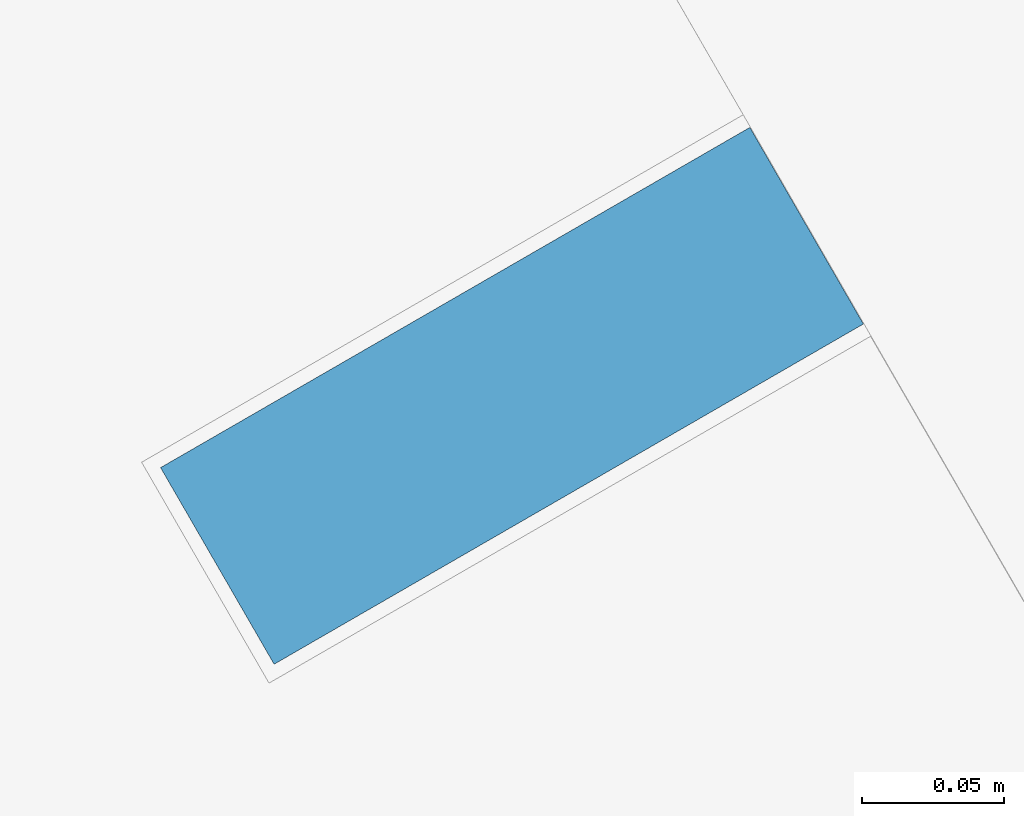
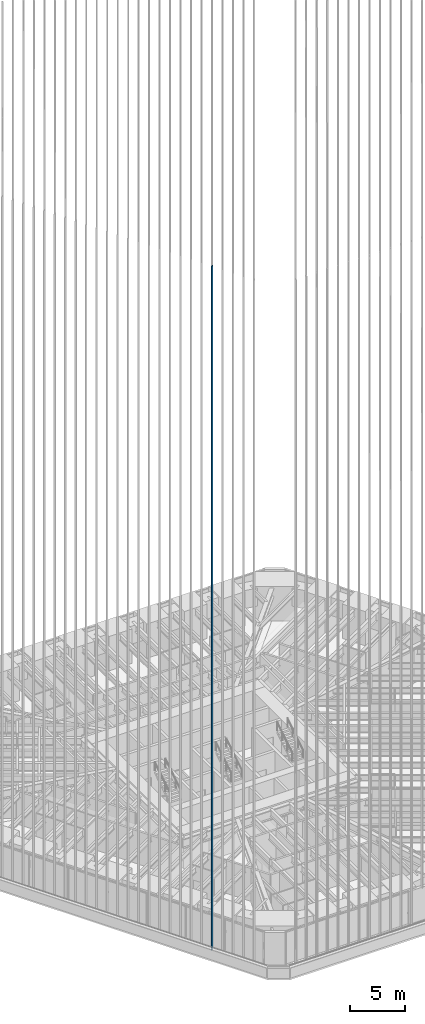
# One storey, part 15 of 238: 1 member, 1 element without a shape of its own.
"""IFC4 building model written with IfcOpenShell, lengths in metres."""

import ifcopenshell
import ifcopenshell.guid

model = None  # the IFC model being written
_history = None  # IfcOwnerHistory: only IFC2X3 demands one
_inside = {}  # id of a spatial element -> (the spatial element, [elements in it])
_under = {}  # id of a project, library or spatial element -> (it, [spatial elements below it])
_declared = {}  # id of a project -> (the project, [libraries it declares])
_typed = {}  # id of a type object -> (the type object, [elements of that type])
_made_of = {}  # id of a material, layer set ... -> (it, [elements and type objects made of it])


def new_model(schema):
    """Start an empty IFC model of exactly this schema.

    Asked for "IFC4X3", IfcOpenShell would pick the latest addendum, in which some entities
    have other attributes; the version numbers below select the first issue.
    IFC2X3 requires an IfcOwnerHistory on every rooted entity: one is made here for all.
    """
    global model, _history
    if schema == "IFC4X3":
        model = ifcopenshell.file(schema_version=(4, 3, 0, 0))
    else:
        model = ifcopenshell.file(schema=schema)
    _inside.clear()
    _under.clear()
    _declared.clear()
    _typed.clear()
    _made_of.clear()
    _history = None
    if model.schema == "IFC2X3":
        org = make("IfcOrganization", Name="unknown")
        user = make(
            "IfcPersonAndOrganization",
            ThePerson=make("IfcPerson", FamilyName="unknown"),
            TheOrganization=org,
        )
        app = make(
            "IfcApplication",
            ApplicationDeveloper=org,
            Version="unknown",
            ApplicationFullName="unknown",
            ApplicationIdentifier="unknown",
        )
        _history = make(
            "IfcOwnerHistory",
            OwningUser=user,
            OwningApplication=app,
            ChangeAction="ADDED",
            CreationDate=0,
        )
    return model


def make(cls, **values):
    """One entity of the class cls with the attributes given. An attribute that is None is left unset."""
    return model.create_entity(
        cls, **{name: value for name, value in values.items() if value is not None}
    )


def rooted(cls, **values):
    """An entity with a GlobalId (a new one), such as an element, a storey or a relation."""
    return make(cls, GlobalId=ifcopenshell.guid.new(), OwnerHistory=_history, **values)


def si_unit(unit_type, name, prefix=None):
    """IfcSIUnit, for example si_unit("LENGTHUNIT", "METRE", prefix="MILLI")."""
    return make("IfcSIUnit", UnitType=unit_type, Prefix=prefix, Name=name)


def assignment(units):
    """IfcUnitAssignment: the units of a project."""
    return None if units is None else make("IfcUnitAssignment", Units=units)


def point(xyz):
    """IfcCartesianPoint."""
    return None if xyz is None else make("IfcCartesianPoint", Coordinates=xyz)


def direction(xyz):
    """IfcDirection."""
    return None if xyz is None else make("IfcDirection", DirectionRatios=xyz)


def frame(location, z_axis=None, x_axis=None):
    """IfcAxis2Placement3D, a coordinate frame: its origin and axes. An axis left out is left unset."""
    return make(
        "IfcAxis2Placement3D",
        Location=point(location),
        Axis=direction(z_axis),
        RefDirection=direction(x_axis),
    )


def frame_2d(location, x_axis=None):
    """IfcAxis2Placement2D, a coordinate frame in the plane: its origin and x axis."""
    return make(
        "IfcAxis2Placement2D", Location=point(location), RefDirection=direction(x_axis)
    )


def origin():
    """The frame at (0, 0, 0) with its axes left unset."""
    return frame((0.0, 0.0, 0.0))


def origin_2d():
    """The frame at (0, 0) in the plane with its x axis left unset."""
    return frame_2d((0.0, 0.0))


def place(relative_to, where):
    """IfcLocalPlacement: puts the frame where relative to a parent placement (None: the world)."""
    return make(
        "IfcLocalPlacement", PlacementRelTo=relative_to, RelativePlacement=where
    )


def context(
    kind, dimensions, precision=None, world=None, true_north=None, identifier=None
):
    """IfcGeometricRepresentationContext, for example the 3D "Model" context."""
    return make(
        "IfcGeometricRepresentationContext",
        ContextIdentifier=identifier,
        ContextType=kind,
        CoordinateSpaceDimension=dimensions,
        Precision=precision,
        WorldCoordinateSystem=world,
        TrueNorth=true_north,
    )


def subcontext(parent, identifier, kind, view, scale=None):
    """IfcGeometricRepresentationSubContext, for example "Body" below "Model"."""
    return make(
        "IfcGeometricRepresentationSubContext",
        ContextIdentifier=identifier,
        ContextType=kind,
        ParentContext=parent,
        TargetScale=scale,
        TargetView=view,
    )


def project(units=None, contexts=None):
    """IfcProject with its units and contexts."""
    return rooted(
        "IfcProject",
        Name="project",
        RepresentationContexts=contexts,
        UnitsInContext=assignment(units),
    )


def spatial(cls, under=None, at=None, **own):
    """A site, building, storey or space (cls), placed at a placement, below another one or the project."""
    s = rooted(cls, ObjectPlacement=at, **own)
    if under is not None:
        _under.setdefault(under.id(), (under, []))[1].append(s)
    return s


def profile(cls, at=None, kind="AREA", **sizes):
    """A parametric profile (cls). Its sizes go by their IFC names, for example OverallWidth=200.0."""
    return make(cls, ProfileType=kind, Position=at, **sizes)


def rectangle(**sizes):
    """IfcRectangleProfileDef."""
    return profile("IfcRectangleProfileDef", **sizes)


def extrude(swept, where, along, depth):
    """IfcExtrudedAreaSolid: the profile swept, set in the frame where, extruded along a direction by depth."""
    return make(
        "IfcExtrudedAreaSolid",
        SweptArea=swept,
        Position=where,
        ExtrudedDirection=direction(along),
        Depth=depth,
    )


def shape(context_of_items, identifier, shape_type, items):
    """IfcShapeRepresentation: the items that make up one representation, for example the "Body"."""
    return make(
        "IfcShapeRepresentation",
        ContextOfItems=context_of_items,
        RepresentationIdentifier=identifier,
        RepresentationType=shape_type,
        Items=items,
    )


def material(Name=None, Category=None):
    """IfcMaterial."""
    return make("IfcMaterial", Name=Name, Category=Category)


def material_profile(
    of_material, cross_section, Name=None, Category=None, Priority=None
):
    """IfcMaterialProfile: a cross section and its material."""
    return make(
        "IfcMaterialProfile",
        Name=Name,
        Material=of_material,
        Profile=cross_section,
        Priority=Priority,
        Category=Category,
    )


def profile_set(profiles, Name=None, composite=None):
    """IfcMaterialProfileSet."""
    return make(
        "IfcMaterialProfileSet",
        Name=Name,
        MaterialProfiles=profiles,
        CompositeProfile=composite,
    )


def made_of(thing, what):
    """Note that an element or type object is made of a material, layer set ...; save() writes the relation."""
    if what is not None:
        _made_of.setdefault(what.id(), (what, []))[1].append(thing)
    return thing


def type_object(cls, material=None, **own):
    """A type object (cls), such as IfcWallType, which elements share."""
    return made_of(rooted(cls, **own), material)


def element(
    cls,
    number,
    at=None,
    inside=None,
    cuts=None,
    type_object=None,
    material=None,
    context=None,
    identifier="Body",
    shape_type=None,
    held_by="IfcProductDefinitionShape",
    body=None,
    shapes=None,
    **own,
):
    """One element of the class cls, such as IfcWall. Its Tag is "e" and its number.

    at: its placement. inside: the storey or other place that contains it. cuts: it is an
    opening in that element (IfcRelVoidsElement). A single representation is given by context,
    identifier, shape_type and body (its items); several are given by shapes. held_by: the class
    of the entity that holds the representations. save() writes the other relations.
    """
    e = rooted(cls, Tag="e%d" % number, ObjectPlacement=at, **own)
    if body is not None:
        shapes = [shape(context, identifier, shape_type, body)]
    if shapes is not None:
        e.Representation = make(held_by, Representations=shapes)
    if inside is not None:
        _inside.setdefault(inside.id(), (inside, []))[1].append(e)
    if cuts is not None:
        rooted(
            "IfcRelVoidsElement", RelatingBuildingElement=cuts, RelatedOpeningElement=e
        )
    if type_object is not None:
        _typed.setdefault(type_object.id(), (type_object, []))[1].append(e)
    return made_of(e, material)


def aggregate(whole, parts):
    """IfcRelAggregates: a whole, such as a stair, and the parts it consists of."""
    return rooted("IfcRelAggregates", RelatingObject=whole, RelatedObjects=parts)


def save(model, path):
    """Write the relations noted so far, then the file.

    IfcRelAggregates (storeys below a building ...), IfcRelContainedInSpatialStructure (elements
    in a storey), IfcRelDefinesByType, IfcRelAssociatesMaterial and IfcRelDeclares: one each for
    every whole, place, type object, material and project.
    """
    for whole, parts in _under.values():
        aggregate(whole, parts)
    for where, things in _inside.values():
        rooted(
            "IfcRelContainedInSpatialStructure",
            RelatedElements=things,
            RelatingStructure=where,
        )
    for kind, things in _typed.values():
        rooted("IfcRelDefinesByType", RelatedObjects=things, RelatingType=kind)
    for what, things in _made_of.values():
        rooted("IfcRelAssociatesMaterial", RelatedObjects=things, RelatingMaterial=what)
    for by, libraries in _declared.values():
        rooted("IfcRelDeclares", RelatingContext=by, RelatedDefinitions=libraries)
    model.write(path)


model = new_model("IFC4")

# Units and contexts
model_context = context("Model", 3, precision=1e-05, world=origin(), true_north=direction((0.0, 1.0)))
body_context = subcontext(model_context, "Body", "Model", "MODEL_VIEW")
ifc_project = project(units=[si_unit("LENGTHUNIT", "METRE"), si_unit("AREAUNIT", "SQUARE_METRE"), si_unit("VOLUMEUNIT", "CUBIC_METRE"), si_unit("PLANEANGLEUNIT", "RADIAN"), si_unit("MASSUNIT", "GRAM", prefix="KILO")], contexts=[model_context])

# Site, building, storey
site_placement = place(None, origin())
site = spatial("IfcSite", under=ifc_project, at=site_placement, CompositionType="ELEMENT")
building_placement = place(site_placement, origin())
building = spatial("IfcBuilding", under=site, at=building_placement, Name="Sandreach Pilgrim Tower", CompositionType="ELEMENT")
storey_placement = place(building_placement, frame((0.0, 0.0, 96.800048828125)))
storey = spatial("IfcBuildingStorey", under=building, at=storey_placement, Name="L23", CompositionType="ELEMENT", Elevation=96.800048828125)

# Curtain wall, member
ifc_material_1 = material(Name="Aluminium framed curtain wall", Category="aluminium")
curtain_wall_type = type_object("IfcCurtainWallType", Name="Hotel tower curtain wall", PredefinedType="NOTDEFINED", material=ifc_material_1)
curtain_wall_placement = place(storey_placement, origin())
curtain_wall = element("IfcCurtainWall", 1, at=curtain_wall_placement, inside=storey, type_object=curtain_wall_type, Name="CW-2 L23 SW", PredefinedType="NOTDEFINED")
ifc_material_2 = material(Name="Extruded terracotta on aluminium core", Category="masonry")
ifc_material_profile = material_profile(ifc_material_2, rectangle(XDim=0.080078125, YDim=0.239990234375, at=origin_2d()), Name="TBW 80X240")
ifc_profile_set = profile_set([ifc_material_profile], Name="Extruded terracotta on aluminium core")
member_type = type_object("IfcMemberType", Name="Terracotta baguette west", PredefinedType="USERDEFINED", material=ifc_profile_set)
member_placement = place(storey_placement, frame((-13.235595703125, -22.903076171875, 0.0), z_axis=(0.0, 0.0, 1.0), x_axis=(-0.5, 0.866025403784, 0.0)))
member = element("IfcMember", 2, at=member_placement, type_object=member_type, Name="Baguette Z2 SW05", ObjectType="BAGUETTE", PredefinedType="USERDEFINED", context=body_context, shape_type="SweptSolid", body=[
    extrude(rectangle(XDim=0.080078125, YDim=0.239990234375, at=origin_2d()), origin(), (0.0, 0.0, 1.0), 75.83984375),
])
aggregate(curtain_wall, [member])

save(model, "model.ifc")
